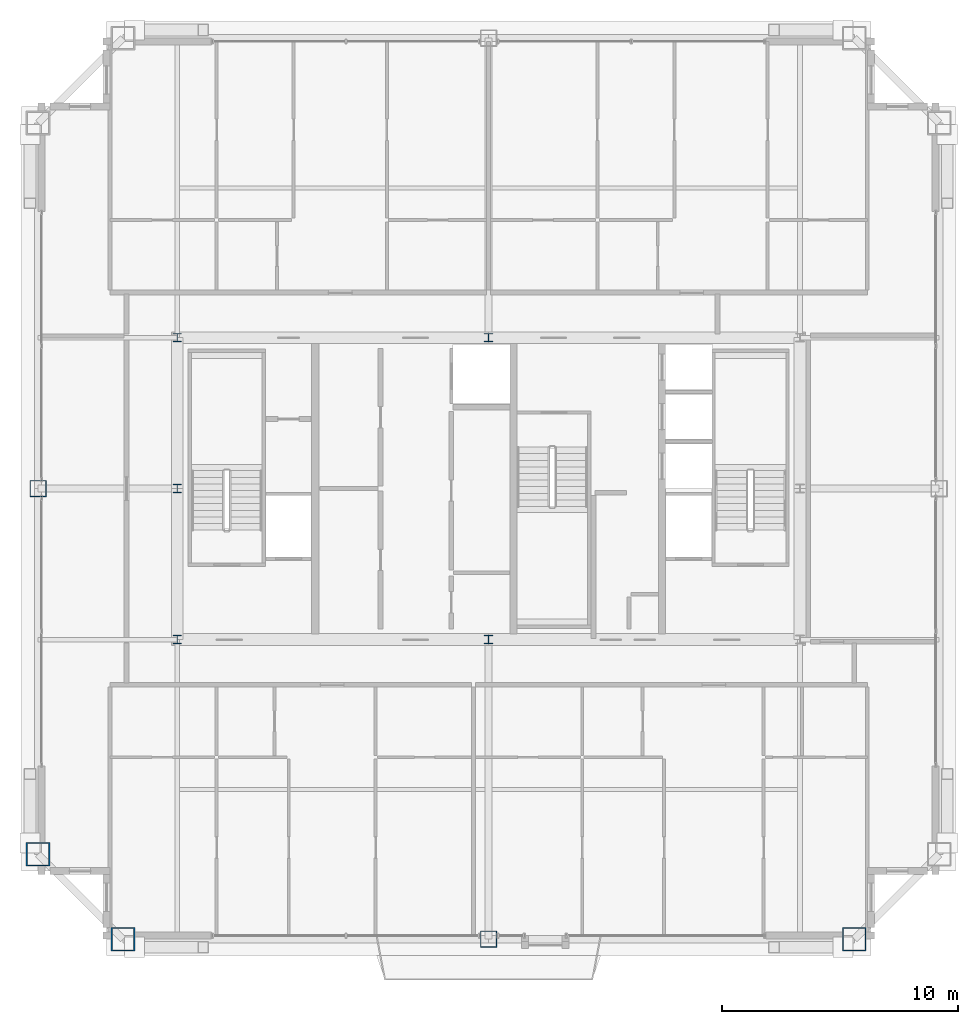
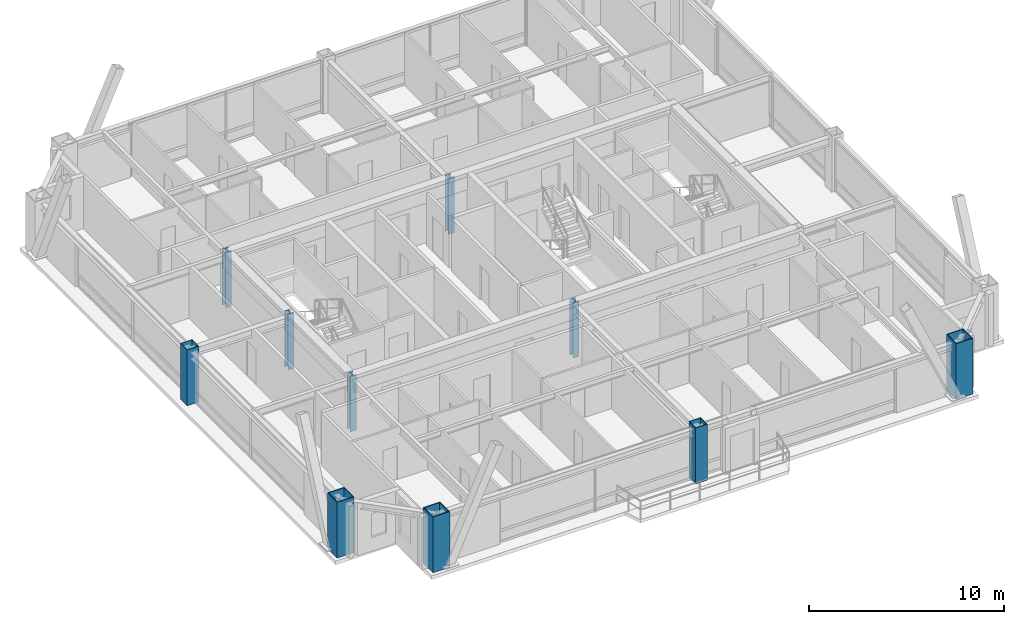
# One storey, part 1 of 35: 10 columns.
"""IFC4 building model written with IfcOpenShell, lengths in metres."""

from ifc_helpers import new_model, si_unit, direction, frame, origin, origin_2d, place, context, subcontext, project, spatial, hollow_rectangle, i_section, extrude, source, transform, mapped, material, material_profile, profile_set, type_object, element, save


model = new_model("IFC4")

# Units and contexts
model_context = context("Model", 3, precision=1e-05, world=origin(), true_north=direction((0.0, 1.0)))
body_context = subcontext(model_context, "Body", "Model", "MODEL_VIEW")
ifc_project = project(units=[si_unit("LENGTHUNIT", "METRE"), si_unit("AREAUNIT", "SQUARE_METRE"), si_unit("VOLUMEUNIT", "CUBIC_METRE"), si_unit("PLANEANGLEUNIT", "RADIAN"), si_unit("MASSUNIT", "GRAM", prefix="KILO"), si_unit("THERMODYNAMICTEMPERATUREUNIT", "KELVIN"), si_unit("POWERUNIT", "WATT")], contexts=[model_context])

# Site, building, storey
site_placement = place(None, origin())
site = spatial("IfcSite", under=ifc_project, at=site_placement, CompositionType="ELEMENT")
building_placement = place(site_placement, origin())
building = spatial("IfcBuilding", under=site, at=building_placement, Name="Yuzanri Waterfront Tower", CompositionType="ELEMENT")
storey_placement = place(building_placement, frame((0.0, 0.0, 299.60009765625)))
storey = spatial("IfcBuildingStorey", under=building, at=storey_placement, Name="L80", CompositionType="ELEMENT", Elevation=299.60009765625)

# Columns
ifc_material_1 = material(Name="Steel Q355B", Category="steel")
ifc_material_profile_1 = material_profile(ifc_material_1, hollow_rectangle(XDim=0.699951171875, YDim=0.699951171875, WallThickness=0.031982421875, at=origin_2d()), Name="RHS 700x700x32")
ifc_profile_set_1 = profile_set([ifc_material_profile_1], Name="Steel Q355B")
column_type_1 = type_object("IfcColumnType", Name="Frame Column Q355B RHS 700x700x32", PredefinedType="COLUMN", material=ifc_profile_set_1)
shared_shape_1 = source(origin(), body_context, "Body", "SweptSolid", [
    extrude(hollow_rectangle(XDim=0.699951171875, YDim=0.699951171875, WallThickness=0.031982421875, at=origin_2d()), origin(), (0.0, 0.0, 1.0), 3.5),
])
for number, where, z_axis, x_axis, name in (
    (1, (37.0, 6.699951171875, 0.0), (0.0, 0.0, 1.0), (1.0, 0.0, 0.0), "L80 Perimeter Frame Column S2"),
    (2, (17.89990234375, 25.800048828125, 0.0), (0.0, 0.0, 1.0), (1.0, 0.0, 0.0), "L80 Perimeter Frame Column W2"),
):
    element("IfcColumn", number, at=place(storey_placement, frame(where, z_axis=z_axis, x_axis=x_axis)), inside=storey, type_object=column_type_1, Name=name, PredefinedType="COLUMN", context=body_context, shape_type="MappedRepresentation", body=[
        mapped(shared_shape_1, transform((0.0, 0.0, 0.0), scale=1.0)),
    ])
ifc_material_2 = material(Name="Steel Q355B", Category="steel")
ifc_material_profile_2 = material_profile(ifc_material_2, i_section(OverallWidth=0.35009765625, OverallDepth=0.35009765625, WebThickness=0.011962890625, FlangeThickness=0.01904296875, at=origin_2d()), Name="HW 350x350x12x19")
ifc_profile_set_2 = profile_set([ifc_material_profile_2], Name="Steel Q355B")
column_type_2 = type_object("IfcColumnType", Name="Core Post Q355B HW 350x350x12x19", PredefinedType="COLUMN", material=ifc_profile_set_2)
shared_shape_2 = source(origin(), body_context, "Body", "SweptSolid", [
    extrude(i_section(OverallWidth=0.35009765625, OverallDepth=0.35009765625, WebThickness=0.011962890625, FlangeThickness=0.01904296875, at=origin_2d()), origin(), (0.0, 0.0, 1.0), 3.5),
])
for number, where, z_axis, x_axis, name in (
    (3, (23.800048828125, 19.39990234375, 0.0), (0.0, 0.0, 1.0), (1.0, 0.0, 0.0), "L80 Core Boundary Column CP1"),
    (4, (37.0, 19.39990234375, 0.0), (0.0, 0.0, 1.0), (1.0, 0.0, 0.0), "L80 Core Boundary Column CP2"),
    (5, (23.800048828125, 25.800048828125, 0.0), (0.0, 0.0, 1.0), (1.0, 0.0, 0.0), "L80 Core Boundary Column CP4"),
    (6, (23.800048828125, 32.199951171875, 0.0), (0.0, 0.0, 1.0), (1.0, 0.0, 0.0), "L80 Core Boundary Column CP6"),
    (7, (37.0, 32.199951171875, 0.0), (0.0, 0.0, 1.0), (1.0, 0.0, 0.0), "L80 Core Boundary Column CP7"),
):
    element("IfcColumn", number, at=place(storey_placement, frame(where, z_axis=z_axis, x_axis=x_axis)), inside=storey, type_object=column_type_2, Name=name, PredefinedType="COLUMN", context=body_context, shape_type="MappedRepresentation", body=[
        mapped(shared_shape_2, transform((0.0, 0.0, 0.0), scale=1.0)),
    ])
ifc_material_3 = material(Name="Steel Q390GJC", Category="steel")
ifc_material_profile_3 = material_profile(ifc_material_3, hollow_rectangle(XDim=1.0, YDim=1.0, WallThickness=0.048095703125, at=origin_2d()), Name="RHS 1000x1000x48")
ifc_profile_set_3 = profile_set([ifc_material_profile_3], Name="Steel Q390GJC")
column_type_3 = type_object("IfcColumnType", Name="Mega Column Q390GJC RHS 1000x1000x48", PredefinedType="COLUMN", material=ifc_profile_set_3)
shared_shape_3 = source(origin(), body_context, "Body", "SweptSolid", [
    extrude(hollow_rectangle(XDim=1.0, YDim=1.0, WallThickness=0.048095703125, at=origin_2d()), origin(), (0.0, 0.0, 1.0), 3.5),
])
for number, where, z_axis, x_axis, name in (
    (8, (21.5, 6.699951171875, 0.0), (0.0, 0.0, 1.0), (1.0, 0.0, 0.0), "L80 Perimeter Mega Column S1"),
    (9, (52.5, 6.699951171875, 0.0), (0.0, 0.0, 1.0), (1.0, 0.0, 0.0), "L80 Perimeter Mega Column S3"),
    (10, (17.89990234375, 10.300048828125, 0.0), (0.0, 0.0, 1.0), (1.0, 0.0, 0.0), "L80 Perimeter Mega Column W1"),
):
    element("IfcColumn", number, at=place(storey_placement, frame(where, z_axis=z_axis, x_axis=x_axis)), inside=storey, type_object=column_type_3, Name=name, PredefinedType="COLUMN", context=body_context, shape_type="MappedRepresentation", body=[
        mapped(shared_shape_3, transform((0.0, 0.0, 0.0), scale=1.0)),
    ])

save(model, "model.ifc")
